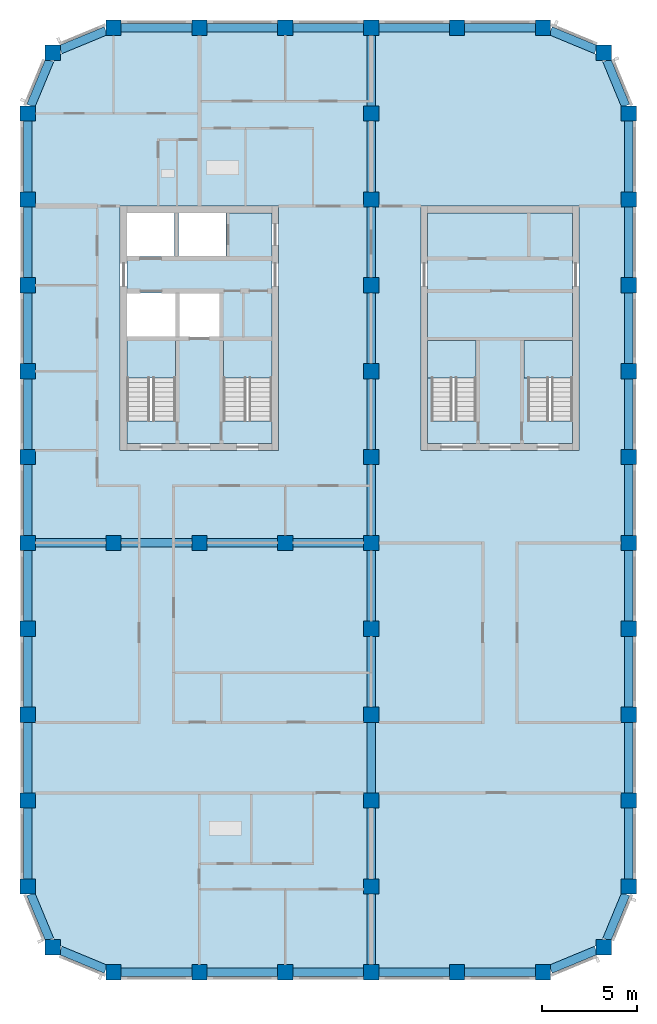
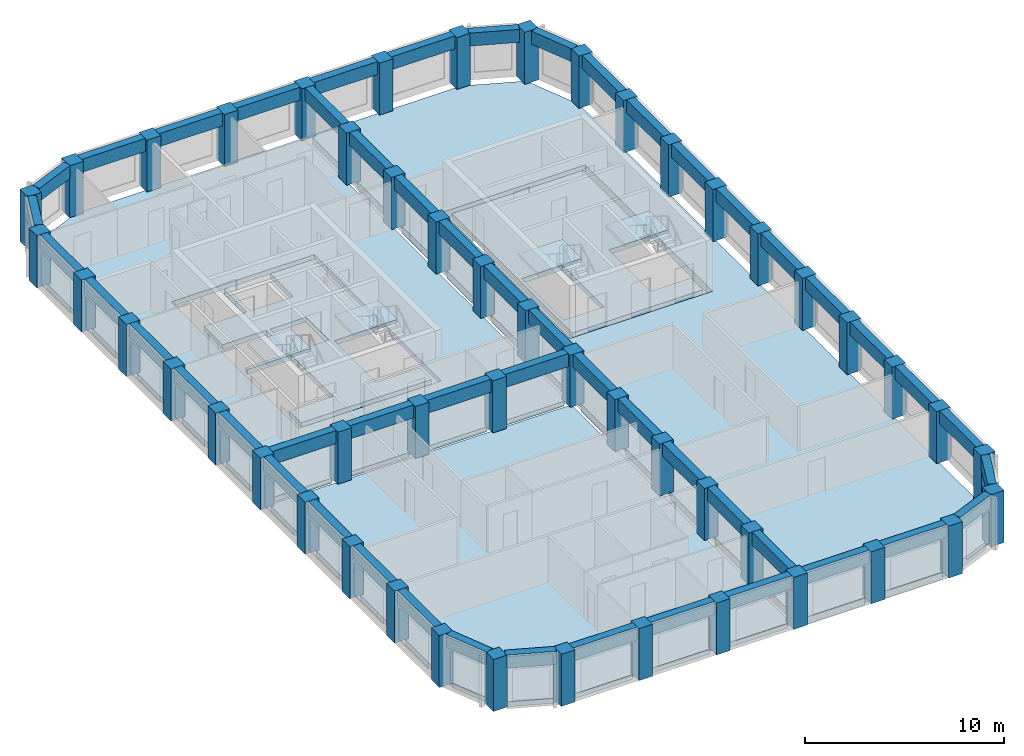
# One storey, part 1 of 9: 51 beams, 49 columns, 9 slabs, 4 elements without a shape of their own.
"""IFC4 building model written with IfcOpenShell, lengths in metres."""

from ifc_helpers import new_model, si_unit, direction, frame, origin, origin_2d, place, context, subcontext, project, spatial, polyline, rectangle, outline, extrude, material, layer, layer_set, material_profile, profile_set, type_object, element, aggregate, save


model = new_model("IFC4")

# Units and contexts
model_context = context("Model", 3, precision=1e-05, world=origin(), true_north=direction((0.0, 1.0)))
body_context = subcontext(model_context, "Body", "Model", "MODEL_VIEW")
ifc_project = project(units=[si_unit("LENGTHUNIT", "METRE"), si_unit("AREAUNIT", "SQUARE_METRE"), si_unit("VOLUMEUNIT", "CUBIC_METRE"), si_unit("PLANEANGLEUNIT", "RADIAN"), si_unit("MASSUNIT", "GRAM", prefix="KILO")], contexts=[model_context])

# Site, building, storey
site_placement = place(None, origin())
site = spatial("IfcSite", under=ifc_project, at=site_placement, CompositionType="ELEMENT")
building_placement = place(site_placement, origin())
building = spatial("IfcBuilding", under=site, at=building_placement, Name="Girih Gate Residences", CompositionType="ELEMENT")
storey_placement = place(building_placement, frame((0.0, 0.0, 219.695068359375)))
storey = spatial("IfcBuildingStorey", under=building, at=storey_placement, Name="L61", CompositionType="ELEMENT", Elevation=219.695068359375)

# Columns
ifc_material_1 = material(Name="Concrete C60/75", Category="concrete")
ifc_material_profile_1 = material_profile(ifc_material_1, rectangle(XDim=0.800048828125, YDim=0.800048828125, at=origin_2d()))
ifc_profile_set_1 = profile_set([ifc_material_profile_1], Name="Concrete C60/75")
column_type = type_object("IfcColumnType", Name="Pier RC 800x800 Concrete C60/75", PredefinedType="COLUMN", material=ifc_profile_set_1)
for number, where, z_axis, x_axis, name in (
    (1, (4.5, 0.0, 0.0), (0.0, 0.0, 1.0), (1.0, 0.0, 0.0), "Pier P2A L61"),
    (2, (9.0, 0.0, 0.0), (0.0, 0.0, 1.0), (1.0, 0.0, 0.0), "Pier P3A L61"),
    (3, (13.5, 0.0, 0.0), (0.0, 0.0, 1.0), (1.0, 0.0, 0.0), "Pier P4A L61"),
    (4, (18.0, 0.0, 0.0), (0.0, 0.0, 1.0), (1.0, 0.0, 0.0), "Pier P5A L61"),
    (5, (22.5, 0.0, 0.0), (0.0, 0.0, 1.0), (1.0, 0.0, 0.0), "Pier P6A L61"),
    (6, (27.0, 0.0, 0.0), (0.0, 0.0, 1.0), (1.0, 0.0, 0.0), "Pier P7A L61"),
    (7, (1.318115234375, 1.318115234375, 0.0), (0.0, 0.0, 1.0), (1.0, 0.0, 0.0), "Pier P1ANE L61"),
    (8, (30.181884765625, 1.318115234375, 0.0), (0.0, 0.0, 1.0), (1.0, 0.0, 0.0), "Pier P8ANW L61"),
    (9, (0.0, 4.5, 0.0), (0.0, 0.0, 1.0), (1.0, 0.0, 0.0), "Pier P1B L61"),
    (10, (18.0, 4.5, 0.0), (0.0, 0.0, 1.0), (1.0, 0.0, 0.0), "Pier P5B L61"),
    (11, (31.5, 4.5, 0.0), (0.0, 0.0, 1.0), (1.0, 0.0, 0.0), "Pier P8B L61"),
    (12, (0.0, 9.0, 0.0), (0.0, 0.0, 1.0), (1.0, 0.0, 0.0), "Pier P1C L61"),
    (13, (18.0, 9.0, 0.0), (0.0, 0.0, 1.0), (1.0, 0.0, 0.0), "Pier P5C L61"),
    (14, (31.5, 9.0, 0.0), (0.0, 0.0, 1.0), (1.0, 0.0, 0.0), "Pier P8C L61"),
    (15, (0.0, 13.5, 0.0), (0.0, 0.0, 1.0), (1.0, 0.0, 0.0), "Pier P1D L61"),
    (16, (18.0, 13.5, 0.0), (0.0, 0.0, 1.0), (1.0, 0.0, 0.0), "Pier P5D L61"),
    (17, (31.5, 13.5, 0.0), (0.0, 0.0, 1.0), (1.0, 0.0, 0.0), "Pier P8D L61"),
    (18, (0.0, 18.0, 0.0), (0.0, 0.0, 1.0), (1.0, 0.0, 0.0), "Pier P1E L61"),
    (19, (18.0, 18.0, 0.0), (0.0, 0.0, 1.0), (1.0, 0.0, 0.0), "Pier P5E L61"),
    (20, (31.5, 18.0, 0.0), (0.0, 0.0, 1.0), (1.0, 0.0, 0.0), "Pier P8E L61"),
    (21, (0.0, 22.5, 0.0), (0.0, 0.0, 1.0), (1.0, 0.0, 0.0), "Pier P1F L61"),
    (22, (4.5, 22.5, 0.0), (0.0, 0.0, 1.0), (1.0, 0.0, 0.0), "Pier P2F L61"),
    (23, (9.0, 22.5, 0.0), (0.0, 0.0, 1.0), (1.0, 0.0, 0.0), "Pier P3F L61"),
    (24, (13.5, 22.5, 0.0), (0.0, 0.0, 1.0), (1.0, 0.0, 0.0), "Pier P4F L61"),
    (25, (18.0, 22.5, 0.0), (0.0, 0.0, 1.0), (1.0, 0.0, 0.0), "Pier P5F L61"),
    (26, (31.5, 22.5, 0.0), (0.0, 0.0, 1.0), (1.0, 0.0, 0.0), "Pier P8F L61"),
    (27, (0.0, 27.0, 0.0), (0.0, 0.0, 1.0), (1.0, 0.0, 0.0), "Pier P1G L61"),
    (28, (18.0, 27.0, 0.0), (0.0, 0.0, 1.0), (1.0, 0.0, 0.0), "Pier P5G L61"),
    (29, (31.5, 27.0, 0.0), (0.0, 0.0, 1.0), (1.0, 0.0, 0.0), "Pier P8G L61"),
    (30, (0.0, 31.5, 0.0), (0.0, 0.0, 1.0), (1.0, 0.0, 0.0), "Pier P1H L61"),
    (31, (18.0, 31.5, 0.0), (0.0, 0.0, 1.0), (1.0, 0.0, 0.0), "Pier P5H L61"),
    (32, (31.5, 31.5, 0.0), (0.0, 0.0, 1.0), (1.0, 0.0, 0.0), "Pier P8H L61"),
    (33, (0.0, 36.0, 0.0), (0.0, 0.0, 1.0), (1.0, 0.0, 0.0), "Pier P1I L61"),
    (34, (18.0, 36.0, 0.0), (0.0, 0.0, 1.0), (1.0, 0.0, 0.0), "Pier P5I L61"),
    (35, (31.5, 36.0, 0.0), (0.0, 0.0, 1.0), (1.0, 0.0, 0.0), "Pier P8I L61"),
    (36, (0.0, 40.5, 0.0), (0.0, 0.0, 1.0), (1.0, 0.0, 0.0), "Pier P1J L61"),
    (37, (18.0, 40.5, 0.0), (0.0, 0.0, 1.0), (1.0, 0.0, 0.0), "Pier P5J L61"),
    (38, (31.5, 40.5, 0.0), (0.0, 0.0, 1.0), (1.0, 0.0, 0.0), "Pier P8J L61"),
    (39, (0.0, 45.0, 0.0), (0.0, 0.0, 1.0), (1.0, 0.0, 0.0), "Pier P1K L61"),
    (40, (18.0, 45.0, 0.0), (0.0, 0.0, 1.0), (1.0, 0.0, 0.0), "Pier P5K L61"),
    (41, (31.5, 45.0, 0.0), (0.0, 0.0, 1.0), (1.0, 0.0, 0.0), "Pier P8K L61"),
    (42, (1.318115234375, 48.181884765625, 0.0), (0.0, 0.0, 1.0), (1.0, 0.0, 0.0), "Pier P1LSE L61"),
    (43, (30.181884765625, 48.181884765625, 0.0), (0.0, 0.0, 1.0), (1.0, 0.0, 0.0), "Pier P8LSW L61"),
    (44, (4.5, 49.5, 0.0), (0.0, 0.0, 1.0), (1.0, 0.0, 0.0), "Pier P2L L61"),
    (45, (9.0, 49.5, 0.0), (0.0, 0.0, 1.0), (1.0, 0.0, 0.0), "Pier P3L L61"),
    (46, (13.5, 49.5, 0.0), (0.0, 0.0, 1.0), (1.0, 0.0, 0.0), "Pier P4L L61"),
    (47, (18.0, 49.5, 0.0), (0.0, 0.0, 1.0), (1.0, 0.0, 0.0), "Pier P5L L61"),
    (48, (22.5, 49.5, 0.0), (0.0, 0.0, 1.0), (1.0, 0.0, 0.0), "Pier P6L L61"),
    (49, (27.0, 49.5, 0.0), (0.0, 0.0, 1.0), (1.0, 0.0, 0.0), "Pier P7L L61"),
):
    element("IfcColumn", number, at=place(storey_placement, frame(where, z_axis=z_axis, x_axis=x_axis)), inside=storey, type_object=column_type, Name=name, PredefinedType="COLUMN", context=body_context, shape_type="SweptSolid", body=[
        extrude(rectangle(XDim=0.800048828125, YDim=0.800048828125, at=origin_2d()), origin(), (0.0, 0.0, 1.0), 3.199951171875),
    ])

# Beams
ifc_material_profile_2 = material_profile(ifc_material_1, rectangle(XDim=0.449951171875, YDim=0.800048828125, at=origin_2d()))
ifc_profile_set_2 = profile_set([ifc_material_profile_2], Name="Concrete C60/75")
beam_type = type_object("IfcBeamType", Name="Spandrel girder RC 450x800 Concrete C60/75", PredefinedType="BEAM", material=ifc_profile_set_2)
for number, where, z_axis, x_axis, name in (
    (50, (27.39990234375, 0.165771484375, 2.800048828125), (0.923895659062, 0.382644497107, 0.0), (-0.382644497107, 0.923895659062, 0.0), "Spandrel girder SP-P7A-P8ANW L61"),
    (51, (30.34765625, 1.718017578125, 2.800048828125), (0.382644497107, 0.923895659062, 0.0), (-0.923895659062, 0.382644497107, 0.0), "Spandrel girder SP-P8ANW-P8B L61"),
):
    element("IfcBeam", number, at=place(storey_placement, frame(where, z_axis=z_axis, x_axis=x_axis)), inside=storey, type_object=beam_type, Name=name, PredefinedType="BEAM", context=body_context, shape_type="SweptSolid", body=[
        extrude(rectangle(XDim=0.449951171875, YDim=0.800048828125, at=origin_2d()), origin(), (0.0, 0.0, 1.0), 2.578369140625),
    ])
for number, where, z_axis, x_axis, name in (
    (52, (31.5, 4.89990234375, 2.800048828125), (0.0, 1.0, 0.0), (-1.0, 0.0, 0.0), "Spandrel girder SP-P8B-P8C L61"),
    (53, (31.5, 9.39990234375, 2.800048828125), (0.0, 1.0, 0.0), (-1.0, 0.0, 0.0), "Spandrel girder SP-P8C-P8D L61"),
    (54, (31.5, 13.89990234375, 2.800048828125), (0.0, 1.0, 0.0), (-1.0, 0.0, 0.0), "Spandrel girder SP-P8D-P8E L61"),
    (55, (31.5, 18.39990234375, 2.800048828125), (0.0, 1.0, 0.0), (-1.0, 0.0, 0.0), "Spandrel girder SP-P8E-P8F L61"),
    (56, (31.5, 22.89990234375, 2.800048828125), (0.0, 1.0, 0.0), (-1.0, 0.0, 0.0), "Spandrel girder SP-P8F-P8G L61"),
    (57, (31.5, 27.39990234375, 2.800048828125), (0.0, 1.0, 0.0), (-1.0, 0.0, 0.0), "Spandrel girder SP-P8G-P8H L61"),
    (58, (31.5, 31.89990234375, 2.800048828125), (0.0, 1.0, 0.0), (-1.0, 0.0, 0.0), "Spandrel girder SP-P8H-P8I L61"),
    (59, (31.5, 36.39990234375, 2.800048828125), (0.0, 1.0, 0.0), (-1.0, 0.0, 0.0), "Spandrel girder SP-P8I-P8J L61"),
    (60, (31.5, 40.89990234375, 2.800048828125), (0.0, 1.0, 0.0), (-1.0, 0.0, 0.0), "Spandrel girder SP-P8J-P8K L61"),
):
    element("IfcBeam", number, at=place(storey_placement, frame(where, z_axis=z_axis, x_axis=x_axis)), inside=storey, type_object=beam_type, Name=name, PredefinedType="BEAM", context=body_context, shape_type="SweptSolid", body=[
        extrude(rectangle(XDim=0.449951171875, YDim=0.800048828125, at=origin_2d()), origin(), (0.0, 0.0, 1.0), 3.7001953125),
    ])
for number, where, z_axis, x_axis, name in (
    (61, (31.334228515625, 45.39990234375, 2.800048828125), (-0.382644497107, 0.923895659062, 0.0), (-0.923895659062, -0.382644497107, 0.0), "Spandrel girder SP-P8K-P8LSW L61"),
    (62, (29.781982421875, 48.34765625, 2.800048828125), (-0.923895659062, 0.382644497107, 0.0), (-0.382644497107, -0.923895659062, 0.0), "Spandrel girder SP-P8LSW-P7L L61"),
):
    element("IfcBeam", number, at=place(storey_placement, frame(where, z_axis=z_axis, x_axis=x_axis)), inside=storey, type_object=beam_type, Name=name, PredefinedType="BEAM", context=body_context, shape_type="SweptSolid", body=[
        extrude(rectangle(XDim=0.449951171875, YDim=0.800048828125, at=origin_2d()), origin(), (0.0, 0.0, 1.0), 2.578369140625),
    ])
for number, where, z_axis, x_axis, name in (
    (63, (26.60009765625, 49.5, 2.800048828125), (-1.0, 0.0, 0.0), (0.0, -1.0, 0.0), "Spandrel girder SP-P7L-P6L L61"),
    (64, (22.10009765625, 49.5, 2.800048828125), (-1.0, 0.0, 0.0), (0.0, -1.0, 0.0), "Spandrel girder SP-P6L-P5L L61"),
    (65, (17.60009765625, 49.5, 2.800048828125), (-1.0, 0.0, 0.0), (0.0, -1.0, 0.0), "Spandrel girder SP-P5L-P4L L61"),
    (66, (13.10009765625, 49.5, 2.800048828125), (-1.0, 0.0, 0.0), (0.0, -1.0, 0.0), "Spandrel girder SP-P4L-P3L L61"),
    (67, (8.60009765625, 49.5, 2.800048828125), (-1.0, 0.0, 0.0), (0.0, -1.0, 0.0), "Spandrel girder SP-P3L-P2L L61"),
):
    element("IfcBeam", number, at=place(storey_placement, frame(where, z_axis=z_axis, x_axis=x_axis)), inside=storey, type_object=beam_type, Name=name, PredefinedType="BEAM", context=body_context, shape_type="SweptSolid", body=[
        extrude(rectangle(XDim=0.449951171875, YDim=0.800048828125, at=origin_2d()), origin(), (0.0, 0.0, 1.0), 3.7001953125),
    ])
for number, where, z_axis, x_axis, name in (
    (68, (4.10009765625, 49.334228515625, 2.800048828125), (-0.923895659062, -0.382644497107, 0.0), (0.382644497107, -0.923895659062, 0.0), "Spandrel girder SP-P2L-P1LSE L61"),
    (69, (1.15234375, 47.781982421875, 2.800048828125), (-0.382644497107, -0.923895659062, 0.0), (0.923895659062, -0.382644497107, 0.0), "Spandrel girder SP-P1LSE-P1K L61"),
):
    element("IfcBeam", number, at=place(storey_placement, frame(where, z_axis=z_axis, x_axis=x_axis)), inside=storey, type_object=beam_type, Name=name, PredefinedType="BEAM", context=body_context, shape_type="SweptSolid", body=[
        extrude(rectangle(XDim=0.449951171875, YDim=0.800048828125, at=origin_2d()), origin(), (0.0, 0.0, 1.0), 2.578369140625),
    ])
for number, where, z_axis, x_axis, name in (
    (70, (0.0, 44.60009765625, 2.800048828125), (0.0, -1.0, 0.0), (1.0, 0.0, 0.0), "Spandrel girder SP-P1K-P1J L61"),
    (71, (0.0, 40.10009765625, 2.800048828125), (0.0, -1.0, 0.0), (1.0, 0.0, 0.0), "Spandrel girder SP-P1J-P1I L61"),
    (72, (0.0, 35.60009765625, 2.800048828125), (0.0, -1.0, 0.0), (1.0, 0.0, 0.0), "Spandrel girder SP-P1I-P1H L61"),
    (73, (0.0, 31.10009765625, 2.800048828125), (0.0, -1.0, 0.0), (1.0, 0.0, 0.0), "Spandrel girder SP-P1H-P1G L61"),
    (74, (0.0, 26.60009765625, 2.800048828125), (0.0, -1.0, 0.0), (1.0, 0.0, 0.0), "Spandrel girder SP-P1G-P1F L61"),
    (75, (0.0, 22.10009765625, 2.800048828125), (0.0, -1.0, 0.0), (1.0, 0.0, 0.0), "Spandrel girder SP-P1F-P1E L61"),
    (76, (0.0, 17.60009765625, 2.800048828125), (0.0, -1.0, 0.0), (1.0, 0.0, 0.0), "Spandrel girder SP-P1E-P1D L61"),
    (77, (0.0, 13.10009765625, 2.800048828125), (0.0, -1.0, 0.0), (1.0, 0.0, 0.0), "Spandrel girder SP-P1D-P1C L61"),
    (78, (0.0, 8.60009765625, 2.800048828125), (0.0, -1.0, 0.0), (1.0, 0.0, 0.0), "Spandrel girder SP-P1C-P1B L61"),
):
    element("IfcBeam", number, at=place(storey_placement, frame(where, z_axis=z_axis, x_axis=x_axis)), inside=storey, type_object=beam_type, Name=name, PredefinedType="BEAM", context=body_context, shape_type="SweptSolid", body=[
        extrude(rectangle(XDim=0.449951171875, YDim=0.800048828125, at=origin_2d()), origin(), (0.0, 0.0, 1.0), 3.7001953125),
    ])
for number, where, z_axis, x_axis, name in (
    (79, (0.165771484375, 4.10009765625, 2.800048828125), (0.382644497107, -0.923895659062, 0.0), (0.923895659062, 0.382644497107, 0.0), "Spandrel girder SP-P1B-P1ANE L61"),
    (80, (1.718017578125, 1.15234375, 2.800048828125), (0.923895659062, -0.382644497107, 0.0), (0.382644497107, 0.923895659062, 0.0), "Spandrel girder SP-P1ANE-P2A L61"),
):
    element("IfcBeam", number, at=place(storey_placement, frame(where, z_axis=z_axis, x_axis=x_axis)), inside=storey, type_object=beam_type, Name=name, PredefinedType="BEAM", context=body_context, shape_type="SweptSolid", body=[
        extrude(rectangle(XDim=0.449951171875, YDim=0.800048828125, at=origin_2d()), origin(), (0.0, 0.0, 1.0), 2.578369140625),
    ])
for number, where, z_axis, x_axis, name in (
    (81, (4.89990234375, 0.0, 2.800048828125), (1.0, 0.0, 0.0), (0.0, 1.0, 0.0), "Spandrel girder SP-P2A-P3A L61"),
    (82, (9.39990234375, 0.0, 2.800048828125), (1.0, 0.0, 0.0), (0.0, 1.0, 0.0), "Spandrel girder SP-P3A-P4A L61"),
    (83, (13.89990234375, 0.0, 2.800048828125), (1.0, 0.0, 0.0), (0.0, 1.0, 0.0), "Spandrel girder SP-P4A-P5A L61"),
    (84, (18.39990234375, 0.0, 2.800048828125), (1.0, 0.0, 0.0), (0.0, 1.0, 0.0), "Spandrel girder SP-P5A-P6A L61"),
    (85, (22.89990234375, 0.0, 2.800048828125), (1.0, 0.0, 0.0), (0.0, 1.0, 0.0), "Spandrel girder SP-P6A-P7A L61"),
    (86, (18.0, 0.39990234375, 2.800048828125), (0.0, 1.0, 0.0), (-1.0, 0.0, 0.0), "Spandrel girder SP-P5A-P5B L61"),
    (87, (18.0, 4.89990234375, 2.800048828125), (0.0, 1.0, 0.0), (-1.0, 0.0, 0.0), "Spandrel girder SP-P5B-P5C L61"),
    (88, (18.0, 9.39990234375, 2.800048828125), (0.0, 1.0, 0.0), (-1.0, 0.0, 0.0), "Spandrel girder SP-P5C-P5D L61"),
    (89, (18.0, 13.89990234375, 2.800048828125), (0.0, 1.0, 0.0), (-1.0, 0.0, 0.0), "Spandrel girder SP-P5D-P5E L61"),
    (90, (18.0, 18.39990234375, 2.800048828125), (0.0, 1.0, 0.0), (-1.0, 0.0, 0.0), "Spandrel girder SP-P5E-P5F L61"),
    (91, (18.0, 22.89990234375, 2.800048828125), (0.0, 1.0, 0.0), (-1.0, 0.0, 0.0), "Spandrel girder SP-P5F-P5G L61"),
    (92, (18.0, 27.39990234375, 2.800048828125), (0.0, 1.0, 0.0), (-1.0, 0.0, 0.0), "Spandrel girder SP-P5G-P5H L61"),
    (93, (18.0, 31.89990234375, 2.800048828125), (0.0, 1.0, 0.0), (-1.0, 0.0, 0.0), "Spandrel girder SP-P5H-P5I L61"),
    (94, (18.0, 36.39990234375, 2.800048828125), (0.0, 1.0, 0.0), (-1.0, 0.0, 0.0), "Spandrel girder SP-P5I-P5J L61"),
    (95, (18.0, 40.89990234375, 2.800048828125), (0.0, 1.0, 0.0), (-1.0, 0.0, 0.0), "Spandrel girder SP-P5J-P5K L61"),
    (96, (18.0, 45.39990234375, 2.800048828125), (0.0, 1.0, 0.0), (-1.0, 0.0, 0.0), "Spandrel girder SP-P5K-P5L L61"),
    (97, (0.39990234375, 22.5, 2.800048828125), (1.0, 0.0, 0.0), (0.0, 1.0, 0.0), "Spandrel girder SP-P1F-P2F L61"),
    (98, (4.89990234375, 22.5, 2.800048828125), (1.0, 0.0, 0.0), (0.0, 1.0, 0.0), "Spandrel girder SP-P2F-P3F L61"),
    (99, (9.39990234375, 22.5, 2.800048828125), (1.0, 0.0, 0.0), (0.0, 1.0, 0.0), "Spandrel girder SP-P3F-P4F L61"),
    (100, (13.89990234375, 22.5, 2.800048828125), (1.0, 0.0, 0.0), (0.0, 1.0, 0.0), "Spandrel girder SP-P4F-P5F L61"),
):
    element("IfcBeam", number, at=place(storey_placement, frame(where, z_axis=z_axis, x_axis=x_axis)), inside=storey, type_object=beam_type, Name=name, PredefinedType="BEAM", context=body_context, shape_type="SweptSolid", body=[
        extrude(rectangle(XDim=0.449951171875, YDim=0.800048828125, at=origin_2d()), origin(), (0.0, 0.0, 1.0), 3.7001953125),
    ])

# Slabs
ifc_material_2 = material(Name="Concrete C40/50", Category="concrete")
ifc_layer_1 = layer(ifc_material_2, 0.300048828125)
ifc_layer_set_1 = layer_set([ifc_layer_1], Name="Core floor slab 300")
slab_type_1 = type_object("IfcSlabType", Name="Core floor slab 300", PredefinedType="FLOOR", material=ifc_layer_set_1)
slab_1_placement = place(storey_placement, frame((0.0, 0.0, -0.300048828125)))
element("IfcSlab", 101, at=slab_1_placement, inside=storey, type_object=slab_type_1, Name="L61 W core floor", PredefinedType="FLOOR", context=body_context, shape_type="SweptSolid", body=[
    extrude(outline(polyline([(12.800048828125, 27.699951171875), (5.199951171875, 27.699951171875), (5.199951171875, 28.900634765625), (7.75, 28.900634765625), (7.75, 33.10009765625), (5.199951171875, 33.10009765625), (5.199951171875, 33.300048828125), (7.75, 33.300048828125), (7.75, 35.60009765625), (5.199951171875, 35.60009765625), (5.199951171875, 37.5), (7.699951171875, 37.5), (7.699951171875, 39.800048828125), (7.89990234375, 39.800048828125), (7.89990234375, 37.5), (10.39990234375, 37.5), (10.39990234375, 39.800048828125), (12.800048828125, 39.800048828125), (12.800048828125, 33.10009765625), (10.25, 33.10009765625), (10.25, 28.900634765625), (12.800048828125, 28.900634765625), (12.800048828125, 27.699951171875)]), holes=[polyline([(7.949951171875, 33.300048828125), (10.050048828125, 33.300048828125), (10.050048828125, 35.60009765625), (7.949951171875, 35.60009765625), (7.949951171875, 33.300048828125)])]), origin(), (0.0, 0.0, 1.0), 0.300048828125),
])
slab_2_placement = place(storey_placement, frame((0.0, 0.0, -0.300048828125)))
element("IfcSlab", 102, at=slab_2_placement, inside=storey, type_object=slab_type_1, Name="L61 C core floor", PredefinedType="FLOOR", context=body_context, shape_type="SweptSolid", body=[
    extrude(outline(polyline([(28.550048828125, 27.699951171875), (20.949951171875, 27.699951171875), (20.949951171875, 39.800048828125), (28.550048828125, 39.800048828125), (28.550048828125, 33.10009765625), (26.199951171875, 33.10009765625), (26.199951171875, 28.900634765625), (28.550048828125, 28.900634765625), (28.550048828125, 27.699951171875)]), holes=[polyline([(23.5, 28.900634765625), (23.5, 33.10009765625), (21.14990234375, 33.10009765625), (21.14990234375, 28.900634765625), (23.5, 28.900634765625)])]), origin(), (0.0, 0.0, 1.0), 0.300048828125),
])
ifc_layer_2 = layer(ifc_material_2, 0.300048828125)
ifc_layer_set_2 = layer_set([ifc_layer_2], Name="Floor slab PT 300 Concrete C40/50")
slab_type_2 = type_object("IfcSlabType", Name="Floor slab PT 300 Concrete C40/50", PredefinedType="FLOOR", material=ifc_layer_set_2)
slab_3_placement = place(storey_placement, frame((0.0, 0.0, -0.300048828125)))
element("IfcSlab", 103, at=slab_3_placement, inside=storey, type_object=slab_type_2, Name="Floor slab L61 0", PredefinedType="FLOOR", context=body_context, shape_type="SweptSolid", body=[
    extrude(outline(polyline([(13.89990234375, 0.22509765625), (17.60009765625, 0.22509765625), (17.60009765625, 0.39990234375), (17.77490234375, 0.39990234375), (17.77490234375, 4.10009765625), (17.60009765625, 4.10009765625), (17.60009765625, 4.89990234375), (17.77490234375, 4.89990234375), (17.77490234375, 8.60009765625), (17.60009765625, 8.60009765625), (17.60009765625, 9.39990234375), (17.77490234375, 9.39990234375), (17.77490234375, 13.10009765625), (17.60009765625, 13.10009765625), (17.60009765625, 13.89990234375), (17.77490234375, 13.89990234375), (17.77490234375, 17.60009765625), (17.60009765625, 17.60009765625), (17.60009765625, 18.39990234375), (17.77490234375, 18.39990234375), (17.77490234375, 22.10009765625), (17.60009765625, 22.10009765625), (17.60009765625, 22.27490234375), (13.89990234375, 22.27490234375), (13.89990234375, 22.10009765625), (13.10009765625, 22.10009765625), (13.10009765625, 22.27490234375), (9.39990234375, 22.27490234375), (9.39990234375, 22.10009765625), (8.60009765625, 22.10009765625), (8.60009765625, 22.27490234375), (4.89990234375, 22.27490234375), (4.89990234375, 22.10009765625), (4.10009765625, 22.10009765625), (4.10009765625, 22.27490234375), (0.39990234375, 22.27490234375), (0.39990234375, 22.10009765625), (0.22509765625, 22.10009765625), (0.22509765625, 18.39990234375), (0.39990234375, 18.39990234375), (0.39990234375, 17.60009765625), (0.22509765625, 17.60009765625), (0.22509765625, 13.89990234375), (0.39990234375, 13.89990234375), (0.39990234375, 13.10009765625), (0.22509765625, 13.10009765625), (0.22509765625, 9.39990234375), (0.39990234375, 9.39990234375), (0.39990234375, 8.60009765625), (0.22509765625, 8.60009765625), (0.22509765625, 4.89990234375), (0.39990234375, 4.89990234375), (0.39990234375, 4.122314453125), (1.395751953125, 1.718017578125), (1.718017578125, 1.718017578125), (1.718017578125, 1.395751953125), (4.122314453125, 0.39990234375), (4.89990234375, 0.39990234375), (4.89990234375, 0.22509765625), (8.60009765625, 0.22509765625), (8.60009765625, 0.39990234375), (9.39990234375, 0.39990234375), (9.39990234375, 0.22509765625), (13.10009765625, 0.22509765625), (13.10009765625, 0.39990234375), (13.89990234375, 0.39990234375), (13.89990234375, 0.22509765625)])), origin(), (0.0, 0.0, 1.0), 0.300048828125),
])
slab_4_placement = place(storey_placement, frame((0.0, 0.0, -0.300048828125)))
element("IfcSlab", 104, at=slab_4_placement, inside=storey, type_object=slab_type_2, Name="Floor slab L61 2", PredefinedType="FLOOR", context=body_context, shape_type="SweptSolid", body=[
    extrude(outline(polyline([(0.22509765625, 26.60009765625), (0.22509765625, 22.89990234375), (0.39990234375, 22.89990234375), (0.39990234375, 22.72509765625), (4.10009765625, 22.72509765625), (4.10009765625, 22.89990234375), (4.89990234375, 22.89990234375), (4.89990234375, 22.72509765625), (8.60009765625, 22.72509765625), (8.60009765625, 22.89990234375), (9.39990234375, 22.89990234375), (9.39990234375, 22.72509765625), (13.10009765625, 22.72509765625), (13.10009765625, 22.89990234375), (13.89990234375, 22.89990234375), (13.89990234375, 22.72509765625), (17.60009765625, 22.72509765625), (17.60009765625, 22.89990234375), (17.77490234375, 22.89990234375), (17.77490234375, 26.60009765625), (17.60009765625, 26.60009765625), (17.60009765625, 27.39990234375), (17.77490234375, 27.39990234375), (17.77490234375, 31.10009765625), (17.60009765625, 31.10009765625), (17.60009765625, 31.89990234375), (17.77490234375, 31.89990234375), (17.77490234375, 35.60009765625), (17.60009765625, 35.60009765625), (17.60009765625, 36.39990234375), (17.77490234375, 36.39990234375), (17.77490234375, 40.10009765625), (17.60009765625, 40.10009765625), (17.60009765625, 40.89990234375), (17.77490234375, 40.89990234375), (17.77490234375, 44.60009765625), (17.60009765625, 44.60009765625), (17.60009765625, 45.39990234375), (17.77490234375, 45.39990234375), (17.77490234375, 49.10009765625), (17.60009765625, 49.10009765625), (17.60009765625, 49.27490234375), (13.89990234375, 49.27490234375), (13.89990234375, 49.10009765625), (13.10009765625, 49.10009765625), (13.10009765625, 49.27490234375), (9.39990234375, 49.27490234375), (9.39990234375, 49.10009765625), (8.60009765625, 49.10009765625), (8.60009765625, 49.27490234375), (4.89990234375, 49.27490234375), (4.89990234375, 49.10009765625), (4.122314453125, 49.10009765625), (1.718017578125, 48.104248046875), (1.718017578125, 47.781982421875), (1.395751953125, 47.781982421875), (0.39990234375, 45.377685546875), (0.39990234375, 44.60009765625), (0.22509765625, 44.60009765625), (0.22509765625, 40.89990234375), (0.39990234375, 40.89990234375), (0.39990234375, 40.10009765625), (0.22509765625, 40.10009765625), (0.22509765625, 36.39990234375), (0.39990234375, 36.39990234375), (0.39990234375, 35.60009765625), (0.22509765625, 35.60009765625), (0.22509765625, 31.89990234375), (0.39990234375, 31.89990234375), (0.39990234375, 31.10009765625), (0.22509765625, 31.10009765625), (0.22509765625, 27.39990234375), (0.39990234375, 27.39990234375), (0.39990234375, 26.60009765625), (0.22509765625, 26.60009765625)]), holes=[polyline([(13.14990234375, 40.14990234375), (13.14990234375, 27.35009765625), (4.85009765625, 27.35009765625), (4.85009765625, 40.14990234375), (13.14990234375, 40.14990234375)])]), origin(), (0.0, 0.0, 1.0), 0.300048828125),
])
ifc_layer_3 = layer(ifc_material_2, 0.449951171875)
ifc_layer_set_3 = layer_set([ifc_layer_3], Name="Floor slab PT 450 Concrete C40/50")
slab_type_3 = type_object("IfcSlabType", Name="Floor slab PT 450 Concrete C40/50", PredefinedType="FLOOR", material=ifc_layer_set_3)
slab_5_placement = place(storey_placement, frame((0.0, 0.0, -0.449951171875)))
element("IfcSlab", 105, at=slab_5_placement, inside=storey, type_object=slab_type_3, Name="Floor slab L61 1", PredefinedType="FLOOR", context=body_context, shape_type="SweptSolid", body=[
    extrude(outline(polyline([(22.89990234375, 0.22509765625), (26.60009765625, 0.22509765625), (26.60009765625, 0.39990234375), (27.377685546875, 0.39990234375), (29.781982421875, 1.395751953125), (29.781982421875, 1.718017578125), (30.104248046875, 1.718017578125), (31.10009765625, 4.122314453125), (31.10009765625, 4.89990234375), (31.27490234375, 4.89990234375), (31.27490234375, 8.60009765625), (31.10009765625, 8.60009765625), (31.10009765625, 9.39990234375), (31.27490234375, 9.39990234375), (31.27490234375, 13.10009765625), (31.10009765625, 13.10009765625), (31.10009765625, 13.89990234375), (31.27490234375, 13.89990234375), (31.27490234375, 17.60009765625), (31.10009765625, 17.60009765625), (31.10009765625, 18.39990234375), (31.27490234375, 18.39990234375), (31.27490234375, 22.10009765625), (31.10009765625, 22.10009765625), (31.10009765625, 22.89990234375), (31.27490234375, 22.89990234375), (31.27490234375, 26.60009765625), (31.10009765625, 26.60009765625), (31.10009765625, 27.39990234375), (31.27490234375, 27.39990234375), (31.27490234375, 31.10009765625), (31.10009765625, 31.10009765625), (31.10009765625, 31.89990234375), (31.27490234375, 31.89990234375), (31.27490234375, 35.60009765625), (31.10009765625, 35.60009765625), (31.10009765625, 36.39990234375), (31.27490234375, 36.39990234375), (31.27490234375, 40.10009765625), (31.10009765625, 40.10009765625), (31.10009765625, 40.89990234375), (31.27490234375, 40.89990234375), (31.27490234375, 44.60009765625), (31.10009765625, 44.60009765625), (31.10009765625, 45.377685546875), (30.104248046875, 47.781982421875), (29.781982421875, 47.781982421875), (29.781982421875, 48.104248046875), (27.377685546875, 49.10009765625), (26.60009765625, 49.10009765625), (26.60009765625, 49.27490234375), (22.89990234375, 49.27490234375), (22.89990234375, 49.10009765625), (22.10009765625, 49.10009765625), (22.10009765625, 49.27490234375), (18.39990234375, 49.27490234375), (18.39990234375, 49.10009765625), (18.22509765625, 49.10009765625), (18.22509765625, 45.39990234375), (18.39990234375, 45.39990234375), (18.39990234375, 44.60009765625), (18.22509765625, 44.60009765625), (18.22509765625, 40.89990234375), (18.39990234375, 40.89990234375), (18.39990234375, 40.10009765625), (18.22509765625, 40.10009765625), (18.22509765625, 36.39990234375), (18.39990234375, 36.39990234375), (18.39990234375, 35.60009765625), (18.22509765625, 35.60009765625), (18.22509765625, 31.89990234375), (18.39990234375, 31.89990234375), (18.39990234375, 31.10009765625), (18.22509765625, 31.10009765625), (18.22509765625, 27.39990234375), (18.39990234375, 27.39990234375), (18.39990234375, 26.60009765625), (18.22509765625, 26.60009765625), (18.22509765625, 22.89990234375), (18.39990234375, 22.89990234375), (18.39990234375, 22.10009765625), (18.22509765625, 22.10009765625), (18.22509765625, 18.39990234375), (18.39990234375, 18.39990234375), (18.39990234375, 17.60009765625), (18.22509765625, 17.60009765625), (18.22509765625, 13.89990234375), (18.39990234375, 13.89990234375), (18.39990234375, 13.10009765625), (18.22509765625, 13.10009765625), (18.22509765625, 9.39990234375), (18.39990234375, 9.39990234375), (18.39990234375, 8.60009765625), (18.22509765625, 8.60009765625), (18.22509765625, 4.89990234375), (18.39990234375, 4.89990234375), (18.39990234375, 4.10009765625), (18.22509765625, 4.10009765625), (18.22509765625, 0.39990234375), (18.39990234375, 0.39990234375), (18.39990234375, 0.22509765625), (22.10009765625, 0.22509765625), (22.10009765625, 0.39990234375), (22.89990234375, 0.39990234375), (22.89990234375, 0.22509765625)]), holes=[polyline([(28.89990234375, 40.14990234375), (28.89990234375, 27.35009765625), (20.60009765625, 27.35009765625), (20.60009765625, 40.14990234375), (28.89990234375, 40.14990234375)])]), origin(), (0.0, 0.0, 1.0), 0.449951171875),
])

# Stair, slab
stair_type_1 = type_object("IfcStairType", Name="Exit stair", PredefinedType="HALF_TURN_STAIR", material=ifc_material_2)
stair_1_placement = place(storey_placement, origin())
stair_1 = element("IfcStair", 106, at=stair_1_placement, inside=storey, type_object=stair_type_1, Name="L61 Exit Stair ST-W1", PredefinedType="HALF_TURN_STAIR")
ifc_layer_4 = layer(ifc_material_2, 0.199951171875)
ifc_layer_set_4 = layer_set([ifc_layer_4], Name="Stair landing 200")
slab_type_4 = type_object("IfcSlabType", Name="Stair landing 200", PredefinedType="LANDING", material=ifc_layer_set_4)
slab_6_placement = place(storey_placement, frame((0.0, 0.0, 1.39990234375)))
slab_6 = element("IfcSlab", 107, at=slab_6_placement, type_object=slab_type_4, Name="ST-W1 landing 1", PredefinedType="LANDING", context=body_context, shape_type="SweptSolid", body=[
    extrude(outline(polyline([(7.75, 31.14990234375), (7.75, 33.10009765625), (5.199951171875, 33.10009765625), (5.199951171875, 31.14990234375), (7.75, 31.14990234375)])), origin(), (0.0, 0.0, 1.0), 0.199951171875),
])
aggregate(stair_1, [slab_6])

stair_2_placement = place(storey_placement, origin())
stair_2 = element("IfcStair", 108, at=stair_2_placement, inside=storey, type_object=stair_type_1, Name="L61 Exit Stair ST-W2", PredefinedType="HALF_TURN_STAIR")
slab_7_placement = place(storey_placement, frame((0.0, 0.0, 1.39990234375)))
slab_7 = element("IfcSlab", 109, at=slab_7_placement, type_object=slab_type_4, Name="ST-W2 landing 1", PredefinedType="LANDING", context=body_context, shape_type="SweptSolid", body=[
    extrude(outline(polyline([(12.800048828125, 31.14990234375), (12.800048828125, 33.10009765625), (10.25, 33.10009765625), (10.25, 31.14990234375), (12.800048828125, 31.14990234375)])), origin(), (0.0, 0.0, 1.0), 0.199951171875),
])
aggregate(stair_2, [slab_7])

stair_type_2 = type_object("IfcStairType", Name="Exit stair C core", PredefinedType="HALF_TURN_STAIR", material=ifc_material_2)
stair_3_placement = place(storey_placement, origin())
stair_3 = element("IfcStair", 110, at=stair_3_placement, inside=storey, type_object=stair_type_2, Name="L61 Exit Stair ST-C1", PredefinedType="HALF_TURN_STAIR")
slab_8_placement = place(storey_placement, frame((0.0, 0.0, 1.39990234375)))
slab_8 = element("IfcSlab", 111, at=slab_8_placement, type_object=slab_type_4, Name="ST-C1 landing 1", PredefinedType="LANDING", context=body_context, shape_type="SweptSolid", body=[
    extrude(outline(polyline([(23.5, 31.14990234375), (23.5, 33.10009765625), (20.949951171875, 33.10009765625), (20.949951171875, 31.14990234375), (23.5, 31.14990234375)])), origin(), (0.0, 0.0, 1.0), 0.199951171875),
])
aggregate(stair_3, [slab_8])

stair_4_placement = place(storey_placement, origin())
stair_4 = element("IfcStair", 112, at=stair_4_placement, inside=storey, type_object=stair_type_2, Name="L61 Exit Stair ST-C2", PredefinedType="HALF_TURN_STAIR")
slab_9_placement = place(storey_placement, frame((0.0, 0.0, 1.39990234375)))
slab_9 = element("IfcSlab", 113, at=slab_9_placement, type_object=slab_type_4, Name="ST-C2 landing 1", PredefinedType="LANDING", context=body_context, shape_type="SweptSolid", body=[
    extrude(outline(polyline([(28.550048828125, 31.14990234375), (28.550048828125, 33.10009765625), (26.0, 33.10009765625), (26.0, 31.14990234375), (28.550048828125, 31.14990234375)])), origin(), (0.0, 0.0, 1.0), 0.199951171875),
])
aggregate(stair_4, [slab_9])

save(model, "model.ifc")
